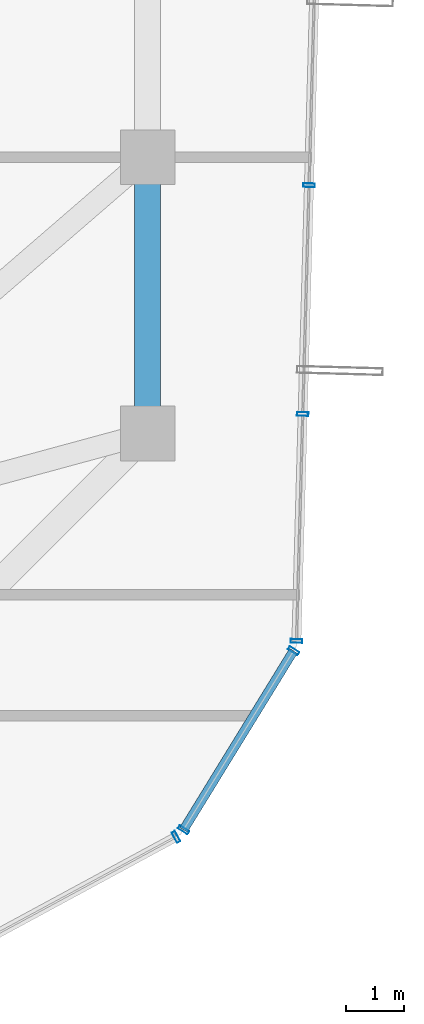
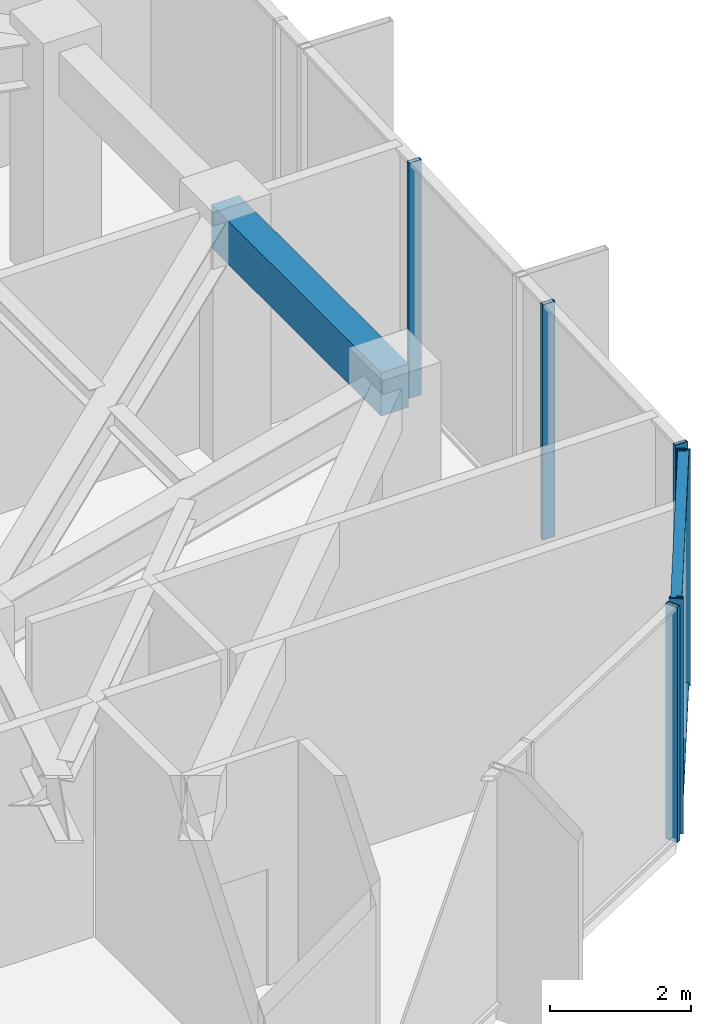
# One storey, part 11 of 22: 8 members, 1 beam, 3 elements without a shape of their own.
"""IFC4 building model written with IfcOpenShell, lengths in metres."""

from ifc_helpers import new_model, si_unit, direction, frame, origin, origin_2d, place, context, subcontext, project, spatial, rectangle, hollow_rectangle, extrude, source, transform, mapped, material, layer, layer_set, material_profile, profile_set, type_object, element, aggregate, save


model = new_model("IFC4")

# Units and contexts
model_context = context("Model", 3, precision=1e-05, world=origin(), true_north=direction((0.0, 1.0)))
body_context = subcontext(model_context, "Body", "Model", "MODEL_VIEW")
ifc_project = project(units=[si_unit("LENGTHUNIT", "METRE"), si_unit("AREAUNIT", "SQUARE_METRE"), si_unit("VOLUMEUNIT", "CUBIC_METRE"), si_unit("PLANEANGLEUNIT", "RADIAN"), si_unit("MASSUNIT", "GRAM", prefix="KILO")], contexts=[model_context])

# Site, building, storey
site_placement = place(None, origin())
site = spatial("IfcSite", under=ifc_project, at=site_placement, CompositionType="ELEMENT")
building_placement = place(site_placement, origin())
building = spatial("IfcBuilding", under=site, at=building_placement, Name="Veraguas Prism Commons", CompositionType="ELEMENT")
storey_placement = place(building_placement, frame((0.0, 0.0, 211.35009765625)))
storey = spatial("IfcBuildingStorey", under=building, at=storey_placement, Name="L60", CompositionType="ELEMENT", Elevation=211.35009765625)

# Beam
ifc_material_1 = material(Name="Concrete C50/60", Category="concrete")
ifc_material_profile_1 = material_profile(ifc_material_1, rectangle(XDim=0.449951171875, YDim=0.75, at=origin_2d()), Name="RC450X750")
ifc_profile_set_1 = profile_set([ifc_material_profile_1], Name="Concrete C50/60")
beam_type = type_object("IfcBeamType", Name="Perimeter Spandrel Upper RC 450x750", PredefinedType="SPANDREL", material=ifc_profile_set_1)
beam_placement = place(storey_placement, frame((38.89990234375, 19.199951171875, 3.68994140625), z_axis=(0.0, 1.0, 0.0), x_axis=(-1.0, 0.0, 0.0)))
element("IfcBeam", 1, at=beam_placement, inside=storey, type_object=beam_type, Name="Perimeter Spandrel Beam L60-SP01", PredefinedType="SPANDREL", context=body_context, shape_type="SweptSolid", body=[
    extrude(rectangle(XDim=0.449951171875, YDim=0.75, at=origin_2d()), origin(), (0.0, 0.0, 1.0), 4.800048828125),
])

# Curtain wall, members
ifc_material_2 = material(Name="Anodised aluminium EN AW-6063 T6", Category="aluminium")
ifc_layer = layer(ifc_material_2, 0.199951171875, Name="Sky Lobby and Pool Acoustic Curtain Wall", Category="aluminium")
ifc_layer_set = layer_set([ifc_layer], Name="Anodised aluminium EN AW-6063 T6")
curtain_wall_type = type_object("IfcCurtainWallType", Name="Sky Lobby and Pool Acoustic Curtain Wall", PredefinedType="NOTDEFINED", material=ifc_layer_set)
curtain_wall_1_placement = place(storey_placement, origin())
curtain_wall_1 = element("IfcCurtainWall", 2, at=curtain_wall_1_placement, inside=storey, type_object=curtain_wall_type, Name="Chamfer Curtain Wall L60-C6", PredefinedType="NOTDEFINED")
ifc_material_profile_2 = material_profile(ifc_material_2, hollow_rectangle(XDim=0.06005859375, YDim=0.159912109375, WallThickness=0.0029296875, at=origin_2d()), Name="AL60X160X3")
ifc_profile_set_2 = profile_set([ifc_material_profile_2], Name="Anodised aluminium EN AW-6063 T6")
member_type_1 = type_object("IfcMemberType", Name="Curtain Wall Transom Heavy AL 60x160x3", PredefinedType="USERDEFINED", material=ifc_profile_set_2)
shared_shape_1 = source(origin(), body_context, "Body", "SweptSolid", [
    extrude(hollow_rectangle(XDim=0.06005859375, YDim=0.159912109375, WallThickness=0.0029296875, at=origin_2d()), origin(), (0.0, 0.0, 1.0), 3.649658203125),
])
member_1_placement = place(storey_placement, frame((39.52294921875, 12.315673828125, 0.02978515625), z_axis=(0.523664398062, 0.8519246435, 0.0), x_axis=(0.0, 0.0, 1.0)))
member_1 = element("IfcMember", 3, at=member_1_placement, type_object=member_type_1, Name="CW-SKY Transom 1", ObjectType="TRANSOM", PredefinedType="USERDEFINED", context=body_context, shape_type="MappedRepresentation", body=[
    mapped(shared_shape_1, transform((0.0, 0.0, 0.0), scale=1.0)),
])
member_2_placement = place(storey_placement, frame((39.52294921875, 12.315673828125, 4.034912109375), z_axis=(0.523664398062, 0.8519246435, 0.0), x_axis=(0.0, 0.0, 1.0)))
member_2 = element("IfcMember", 4, at=member_2_placement, type_object=member_type_1, Name="CW-SKY Transom 2", ObjectType="TRANSOM", PredefinedType="USERDEFINED", context=body_context, shape_type="MappedRepresentation", body=[
    mapped(shared_shape_1, transform((0.0, 0.0, 0.0), scale=1.0)),
])

# Curtain wall, member
curtain_wall_2_placement = place(storey_placement, origin())
curtain_wall_2 = element("IfcCurtainWall", 5, at=curtain_wall_2_placement, inside=storey, type_object=curtain_wall_type, Name="Tower Facade Curtain Wall L60-F5", PredefinedType="NOTDEFINED")
ifc_material_profile_3 = material_profile(ifc_material_2, hollow_rectangle(XDim=0.06494140625, YDim=0.199951171875, WallThickness=0.00390625, at=origin_2d()), Name="AL65X200X4")
ifc_profile_set_3 = profile_set([ifc_material_profile_3], Name="Anodised aluminium EN AW-6063 T6")
member_type_2 = type_object("IfcMemberType", Name="Curtain Wall Mullion Heavy AL 65x200x4", PredefinedType="MULLION", material=ifc_profile_set_3)
shared_shape_2 = source(origin(), body_context, "Body", "SweptSolid", [
    extrude(hollow_rectangle(XDim=0.06494140625, YDim=0.199951171875, WallThickness=0.00390625, at=origin_2d()), origin(), (0.0, 0.0, 1.0), 4.06494140625),
])
member_3_placement = place(storey_placement, frame((39.393310546875, 12.19287109375, 0.0), z_axis=(0.0, 0.0, 1.0), x_axis=(0.879484156418, 0.475928165389, 0.0)))
member_3 = element("IfcMember", 6, at=member_3_placement, type_object=member_type_2, Name="CW-SKY Mullion 5", PredefinedType="MULLION", context=body_context, shape_type="MappedRepresentation", body=[
    mapped(shared_shape_2, transform((0.0, 0.0, 0.0), scale=1.0)),
])
aggregate(curtain_wall_2, [member_3])

# Curtain wall, members
curtain_wall_3_placement = place(storey_placement, origin())
curtain_wall_3 = element("IfcCurtainWall", 7, at=curtain_wall_3_placement, inside=storey, type_object=curtain_wall_type, Name="Tower Facade Curtain Wall L60-F6", PredefinedType="NOTDEFINED")
member_4_placement = place(storey_placement, frame((41.485107421875, 15.595947265625, 0.0), z_axis=(0.0, 0.0, 1.0), x_axis=(0.027567473277, 0.999619944988, 0.0)))
member_4 = element("IfcMember", 8, at=member_4_placement, type_object=member_type_2, Name="CW-SKY Mullion 1", PredefinedType="MULLION", context=body_context, shape_type="MappedRepresentation", body=[
    mapped(shared_shape_2, transform((0.0, 0.0, 0.0), scale=1.0)),
])
member_5_placement = place(storey_placement, frame((41.593994140625, 19.53759765625, 0.0), z_axis=(0.0, 0.0, 1.0), x_axis=(0.027567473277, 0.999619944988, 0.0)))
member_5 = element("IfcMember", 9, at=member_5_placement, type_object=member_type_2, Name="CW-SKY Mullion 2", PredefinedType="MULLION", context=body_context, shape_type="MappedRepresentation", body=[
    mapped(shared_shape_2, transform((0.0, 0.0, 0.0), scale=1.0)),
])
member_6_placement = place(storey_placement, frame((41.70361328125, 23.51171875, 0.0), z_axis=(0.0, 0.0, 1.0), x_axis=(0.027567473277, 0.999619944988, 0.0)))
member_6 = element("IfcMember", 10, at=member_6_placement, type_object=member_type_2, Name="CW-SKY Mullion 3", PredefinedType="MULLION", context=body_context, shape_type="MappedRepresentation", body=[
    mapped(shared_shape_2, transform((0.0, 0.0, 0.0), scale=1.0)),
])
aggregate(curtain_wall_3, [member_4, member_5, member_6])

# Member
member_7_placement = place(storey_placement, frame((39.52294921875, 12.315673828125, 0.0), z_axis=(0.0, 0.0, 1.0), x_axis=(0.523694512706, 0.851906131778, 0.0)))
member_7 = element("IfcMember", 11, at=member_7_placement, type_object=member_type_2, Name="CW-SKY Mullion 1", PredefinedType="MULLION", context=body_context, shape_type="MappedRepresentation", body=[
    mapped(shared_shape_2, transform((0.0, 0.0, 0.0), scale=1.0)),
])

member_8_placement = place(storey_placement, frame((41.43408203125, 15.4248046875, 0.0), z_axis=(0.0, 0.0, 1.0), x_axis=(0.523694512706, 0.851906131778, 0.0)))
member_8 = element("IfcMember", 12, at=member_8_placement, type_object=member_type_2, Name="CW-SKY Mullion 2", PredefinedType="MULLION", context=body_context, shape_type="MappedRepresentation", body=[
    mapped(shared_shape_2, transform((0.0, 0.0, 0.0), scale=1.0)),
])

aggregate(curtain_wall_1, [member_7, member_8, member_1, member_2])

save(model, "model.ifc")
